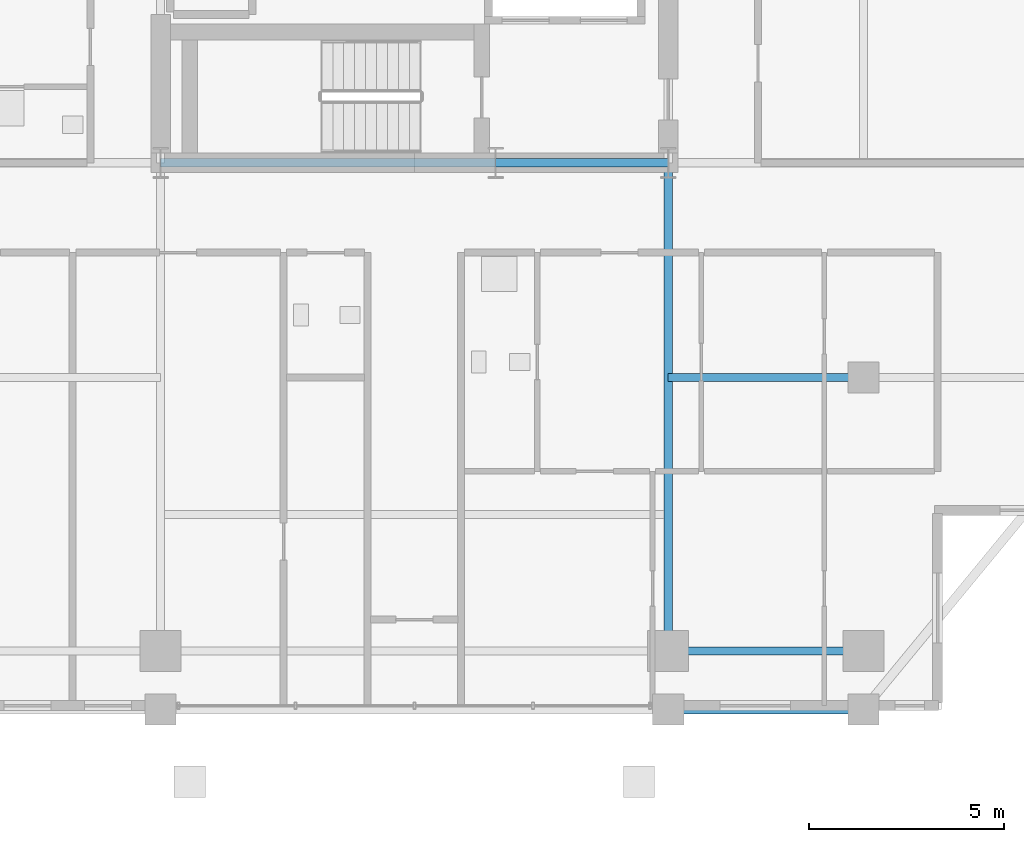
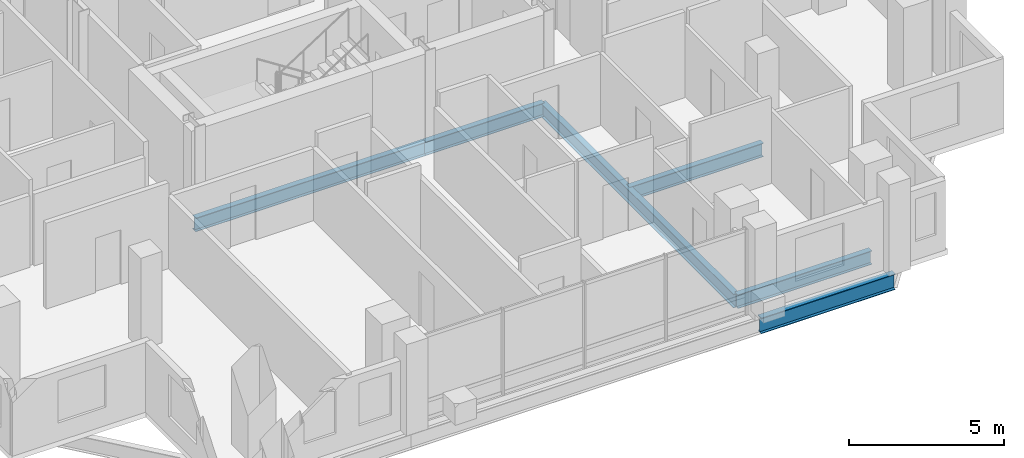
# One storey, part 5 of 24: 6 beams.
"""IFC4 building model written with IfcOpenShell, lengths in metres."""

from ifc_helpers import new_model, si_unit, direction, frame, origin, origin_2d, place, context, subcontext, project, spatial, i_section, extrude, material, material_profile, profile_set, type_object, element, save


model = new_model("IFC4")

# Units and contexts
model_context = context("Model", 3, precision=1e-05, world=origin(), true_north=direction((0.0, 1.0)))
body_context = subcontext(model_context, "Body", "Model", "MODEL_VIEW")
ifc_project = project(units=[si_unit("LENGTHUNIT", "METRE"), si_unit("AREAUNIT", "SQUARE_METRE"), si_unit("VOLUMEUNIT", "CUBIC_METRE"), si_unit("PLANEANGLEUNIT", "RADIAN"), si_unit("MASSUNIT", "GRAM", prefix="KILO")], contexts=[model_context])

# Site, building, storey
site_placement = place(None, origin())
site = spatial("IfcSite", under=ifc_project, at=site_placement, CompositionType="ELEMENT")
building_placement = place(site_placement, origin())
building = spatial("IfcBuilding", under=site, at=building_placement, Name="Barlavira Tower and Art Museum", CompositionType="ELEMENT")
storey_placement = place(building_placement, frame((0.0, 0.0, 190.800048828125)))
storey = spatial("IfcBuildingStorey", under=building, at=storey_placement, Name="L49", CompositionType="ELEMENT", Elevation=190.800048828125)

# Beams
ifc_material = material(Name="Steel S355", Category="steel")
ifc_material_profile_1 = material_profile(ifc_material, i_section(OverallWidth=0.22998046875, OverallDepth=0.616943359375, WebThickness=0.01318359375, FlangeThickness=0.022216796875, at=origin_2d()), Name="W610x140.0")
ifc_profile_set_1 = profile_set([ifc_material_profile_1], Name="Steel S355")
beam_type_1 = type_object("IfcBeamType", Name="Upper Shaft Spandrel Edge Beam W610x140 Steel S355", PredefinedType="SPANDREL", material=ifc_profile_set_1)
beam_1_placement = place(storey_placement, frame((6.5, -21.5, -0.528564453125), z_axis=(1.0, 0.0, 0.0), x_axis=(0.0, 1.0, 0.0)))
element("IfcBeam", 1, at=beam_1_placement, inside=storey, type_object=beam_type_1, Name="L49 Spandrel 3", PredefinedType="SPANDREL", context=body_context, shape_type="SweptSolid", body=[
    extrude(i_section(OverallWidth=0.22998046875, OverallDepth=0.616943359375, WebThickness=0.01318359375, FlangeThickness=0.022216796875, at=origin_2d()), origin(), (0.0, 0.0, 1.0), 5.0),
])
ifc_material_profile_2 = material_profile(ifc_material, i_section(OverallWidth=0.2109375, OverallDepth=0.5390625, WebThickness=0.01171875, FlangeThickness=0.018798828125, at=origin_2d()), Name="W530x109.0")
ifc_profile_set_2 = profile_set([ifc_material_profile_2], Name="Steel S355")
beam_type_2 = type_object("IfcBeamType", Name="Zone 3-4 Primary Floor Girder W530x109 Steel S355", PredefinedType="BEAM", material=ifc_profile_set_2)
beam_2_placement = place(storey_placement, frame((-6.5, -7.5, -0.489501953125), z_axis=(1.0, 0.0, 0.0), x_axis=(0.0, 1.0, 0.0)))
element("IfcBeam", 2, at=beam_2_placement, inside=storey, type_object=beam_type_2, Name="L49 Girder C-S1", PredefinedType="BEAM", context=body_context, shape_type="SweptSolid", body=[
    extrude(i_section(OverallWidth=0.2109375, OverallDepth=0.5390625, WebThickness=0.01171875, FlangeThickness=0.018798828125, at=origin_2d()), origin(), (0.0, 0.0, 1.0), 8.580078125),
])
beam_3_placement = place(storey_placement, frame((2.080078125, -7.5, -0.489501953125), z_axis=(1.0, 0.0, 0.0), x_axis=(0.0, 1.0, 0.0)))
element("IfcBeam", 3, at=beam_3_placement, inside=storey, type_object=beam_type_2, Name="L49 Girder C-S2", PredefinedType="BEAM", context=body_context, shape_type="SweptSolid", body=[
    extrude(i_section(OverallWidth=0.2109375, OverallDepth=0.5390625, WebThickness=0.01171875, FlangeThickness=0.018798828125, at=origin_2d()), origin(), (0.0, 0.0, 1.0), 4.419921875),
])
beam_4_placement = place(storey_placement, frame((6.5, -20.0, -0.489501953125), z_axis=(1.0, 0.0, 0.0), x_axis=(0.0, 1.0, 0.0)))
element("IfcBeam", 4, at=beam_4_placement, inside=storey, type_object=beam_type_2, Name="L49 Girder M-S3", PredefinedType="BEAM", context=body_context, shape_type="SweptSolid", body=[
    extrude(i_section(OverallWidth=0.2109375, OverallDepth=0.5390625, WebThickness=0.01171875, FlangeThickness=0.018798828125, at=origin_2d()), origin(), (0.0, 0.0, 1.0), 5.0),
])
beam_5_placement = place(storey_placement, frame((6.5, -20.0, -0.489501953125), z_axis=(0.0, 1.0, 0.0), x_axis=(-1.0, 0.0, 0.0)))
element("IfcBeam", 5, at=beam_5_placement, inside=storey, type_object=beam_type_2, Name="L49 Girder R-S2", PredefinedType="BEAM", context=body_context, shape_type="SweptSolid", body=[
    extrude(i_section(OverallWidth=0.2109375, OverallDepth=0.5390625, WebThickness=0.01171875, FlangeThickness=0.018798828125, at=origin_2d()), origin(), (0.0, 0.0, 1.0), 12.5),
])
beam_6_placement = place(storey_placement, frame((6.5, -13.0, -0.489501953125), z_axis=(1.0, 0.0, 0.0), x_axis=(0.0, 1.0, 0.0)))
element("IfcBeam", 6, at=beam_6_placement, inside=storey, type_object=beam_type_2, Name="L49 Girder I-S3", PredefinedType="BEAM", context=body_context, shape_type="SweptSolid", body=[
    extrude(i_section(OverallWidth=0.2109375, OverallDepth=0.5390625, WebThickness=0.01171875, FlangeThickness=0.018798828125, at=origin_2d()), origin(), (0.0, 0.0, 1.0), 5.0),
])

save(model, "model.ifc")
